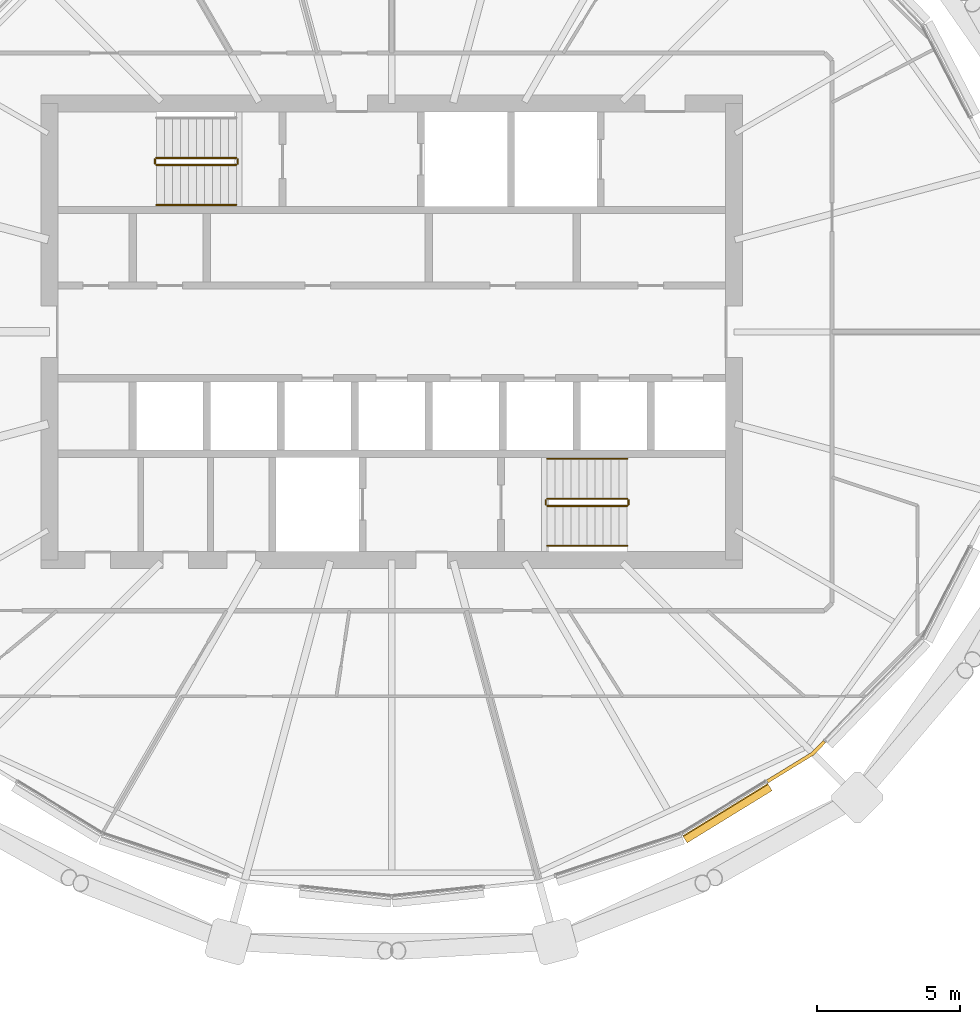
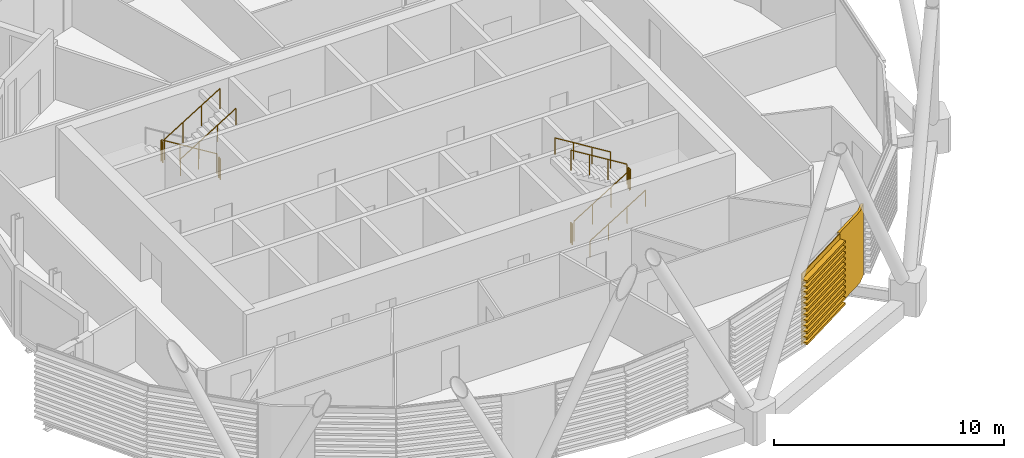
# One storey, part 32 of 37: 11 railings, 2 coverings.
"""IFC4 building model written with IfcOpenShell, lengths in metres."""

from ifc_helpers import new_model, si_unit, direction, frame, origin, origin_2d, place, context, subcontext, project, spatial, polyline, circle, outline, extrude, material, layer, layer_set, material_profile, profile_set, type_object, element, save


model = new_model("IFC4")

# Units and contexts
model_context = context("Model", 3, precision=1e-05, world=origin(), true_north=direction((0.0, 1.0)))
body_context = subcontext(model_context, "Body", "Model", "MODEL_VIEW")
ifc_project = project(units=[si_unit("LENGTHUNIT", "METRE"), si_unit("AREAUNIT", "SQUARE_METRE"), si_unit("VOLUMEUNIT", "CUBIC_METRE"), si_unit("PLANEANGLEUNIT", "RADIAN"), si_unit("MASSUNIT", "GRAM", prefix="KILO")], contexts=[model_context])

# Site, building, storey
site_placement = place(None, origin())
site = spatial("IfcSite", under=ifc_project, at=site_placement, CompositionType="ELEMENT")
building_placement = place(site_placement, origin())
building = spatial("IfcBuilding", under=site, at=building_placement, Name="Rimbun Link Towers", CompositionType="ELEMENT")
storey_placement = place(building_placement, frame((0.0, 0.0, 170.300048828125)))
storey = spatial("IfcBuildingStorey", under=building, at=storey_placement, Name="L41", CompositionType="ELEMENT", Elevation=170.300048828125)

# Covering
ifc_material_1 = material(Name="Terracotta", Category="masonry")
ifc_layer = layer(ifc_material_1, 0.1201171875)
ifc_layer_set = layer_set([ifc_layer], Name="LINK PIER terracotta cladding 120")
covering_type_1 = type_object("IfcCoveringType", Name="LINK PIER terracotta cladding 120", PredefinedType="CLADDING", material=ifc_layer_set)
covering_1_placement = place(storey_placement, origin())
element("IfcCovering", 1, at=covering_1_placement, inside=storey, type_object=covering_type_1, Name="LINK PIER cladding", PredefinedType="CLADDING", context=body_context, shape_type="SweptSolid", body=[
    extrude(outline(polyline([(-16.624267578125, -14.31982421875), (-17.018798828125, -14.731201171875), (-18.6123046875, -15.709716796875), (-18.549560546875, -15.81201171875), (-16.94287109375, -14.825439453125), (-16.53759765625, -14.40283203125), (-16.624267578125, -14.31982421875)])), origin(), (0.0, 0.0, 1.0), 3.800048828125),
])

# Railings
ifc_material_2 = material(Name="Stainless steel grade 316", Category="steel")
railing_type_1 = type_object("IfcRailingType", Name="Stair guard", PredefinedType="GUARDRAIL", material=ifc_material_2)
railing_1_placement = place(storey_placement, frame((-37.199951171875, 6.10009765625, 0.172607421875)))
element("IfcRailing", 2, at=railing_1_placement, inside=storey, type_object=railing_type_1, Name="L41 ST1 stair guard 1", PredefinedType="GUARDRAIL", context=body_context, shape_type="SweptSolid", body=[
    extrude(circle(Radius=0.02392578125, at=origin_2d()), frame((0.0, 0.0, 1.076171875), z_axis=(-0.851089632645, 0.0, 0.525020415988), x_axis=(0.0, -1.0, 0.0)), (0.0, 0.0, 1.0), 3.2900390625),
    extrude(circle(Radius=0.02099609375, at=origin_2d()), origin(), (0.0, 0.0, 1.0), 1.052001953125),
    extrude(circle(Radius=0.02099609375, at=origin_2d()), frame((-0.933349609375, 0.0, 0.57568359375)), (0.0, 0.0, 1.0), 1.052001953125),
    extrude(circle(Radius=0.02099609375, at=origin_2d()), frame((-1.86669921875, 0.0, 1.151611328125)), (0.0, 0.0, 1.0), 1.052001953125),
    extrude(circle(Radius=0.02099609375, at=origin_2d()), frame((-2.800048828125, 0.0, 1.727294921875)), (0.0, 0.0, 1.0), 1.052001953125),
])
railing_2_placement = place(storey_placement, frame((-40.050048828125, 6.050048828125, 1.89990234375)))
element("IfcRailing", 3, at=railing_2_placement, inside=storey, type_object=railing_type_1, Name="L41 ST1 stair guard 2", PredefinedType="GUARDRAIL", context=body_context, shape_type="SweptSolid", body=[
    extrude(circle(Radius=0.02392578125, at=origin_2d()), frame((0.0, 0.0, 1.076171875), z_axis=(0.0, -1.0, 0.0), x_axis=(1.0, 0.0, 0.0)), (0.0, 0.0, 1.0), 0.150146484375),
    extrude(circle(Radius=0.02099609375, at=origin_2d()), origin(), (0.0, 0.0, 1.0), 1.052001953125),
    extrude(circle(Radius=0.02099609375, at=origin_2d()), frame((0.0, -0.150146484375, 0.0)), (0.0, 0.0, 1.0), 1.052001953125),
])
railing_3_placement = place(storey_placement, frame((-40.0, 5.85009765625, 2.07275390625)))
element("IfcRailing", 4, at=railing_3_placement, inside=storey, type_object=railing_type_1, Name="L41 ST1 stair guard 3", PredefinedType="GUARDRAIL", context=body_context, shape_type="SweptSolid", body=[
    extrude(circle(Radius=0.02392578125, at=origin_2d()), frame((0.0, 0.0, 1.076171875), z_axis=(0.851089632645, 0.0, 0.525020415988), x_axis=(0.0, 1.0, 0.0)), (0.0, 0.0, 1.0), 3.2900390625),
    extrude(circle(Radius=0.02099609375, at=origin_2d()), origin(), (0.0, 0.0, 1.0), 1.052001953125),
    extrude(circle(Radius=0.02099609375, at=origin_2d()), frame((0.933349609375, 0.0, 0.57568359375)), (0.0, 0.0, 1.0), 1.052001953125),
    extrude(circle(Radius=0.02099609375, at=origin_2d()), frame((1.86669921875, 0.0, 1.151611328125)), (0.0, 0.0, 1.0), 1.052001953125),
    extrude(circle(Radius=0.02099609375, at=origin_2d()), frame((2.800048828125, 0.0, 1.727294921875)), (0.0, 0.0, 1.0), 1.052001953125),
])
railing_4_placement = place(storey_placement, frame((-37.14990234375, 6.050048828125, 0.0)))
element("IfcRailing", 5, at=railing_4_placement, inside=storey, type_object=railing_type_1, Name="L41 ST1 stair guard 4", PredefinedType="GUARDRAIL", context=body_context, shape_type="SweptSolid", body=[
    extrude(circle(Radius=0.02392578125, at=origin_2d()), frame((0.0, 0.0, 1.076171875), z_axis=(0.0, -1.0, 0.0), x_axis=(1.0, 0.0, 0.0)), (0.0, 0.0, 1.0), 0.150146484375),
    extrude(circle(Radius=0.02099609375, at=origin_2d()), origin(), (0.0, 0.0, 1.0), 1.052001953125),
    extrude(circle(Radius=0.02099609375, at=origin_2d()), frame((0.0, -0.150146484375, 0.0)), (0.0, 0.0, 1.0), 1.052001953125),
])
railing_5_placement = place(storey_placement, frame((-26.300048828125, -6.10009765625, 0.172607421875)))
element("IfcRailing", 6, at=railing_5_placement, inside=storey, type_object=railing_type_1, Name="L41 ST2 stair guard 1", PredefinedType="GUARDRAIL", context=body_context, shape_type="SweptSolid", body=[
    extrude(circle(Radius=0.02392578125, at=origin_2d()), frame((0.0, 0.0, 1.076171875), z_axis=(0.851089632645, 0.0, 0.525020415988), x_axis=(0.0, 1.0, 0.0)), (0.0, 0.0, 1.0), 3.2900390625),
    extrude(circle(Radius=0.02099609375, at=origin_2d()), origin(), (0.0, 0.0, 1.0), 1.052001953125),
    extrude(circle(Radius=0.02099609375, at=origin_2d()), frame((0.933349609375, 0.0, 0.57568359375)), (0.0, 0.0, 1.0), 1.052001953125),
    extrude(circle(Radius=0.02099609375, at=origin_2d()), frame((1.86669921875, 0.0, 1.151611328125)), (0.0, 0.0, 1.0), 1.052001953125),
    extrude(circle(Radius=0.02099609375, at=origin_2d()), frame((2.800048828125, 0.0, 1.727294921875)), (0.0, 0.0, 1.0), 1.052001953125),
])
railing_6_placement = place(storey_placement, frame((-23.449951171875, -6.050048828125, 1.89990234375)))
element("IfcRailing", 7, at=railing_6_placement, inside=storey, type_object=railing_type_1, Name="L41 ST2 stair guard 2", PredefinedType="GUARDRAIL", context=body_context, shape_type="SweptSolid", body=[
    extrude(circle(Radius=0.02392578125, at=origin_2d()), frame((0.0, 0.0, 1.076171875), z_axis=(0.0, 1.0, 0.0), x_axis=(-1.0, 0.0, 0.0)), (0.0, 0.0, 1.0), 0.150146484375),
    extrude(circle(Radius=0.02099609375, at=origin_2d()), origin(), (0.0, 0.0, 1.0), 1.052001953125),
    extrude(circle(Radius=0.02099609375, at=origin_2d()), frame((0.0, 0.150146484375, 0.0)), (0.0, 0.0, 1.0), 1.052001953125),
])
railing_7_placement = place(storey_placement, frame((-23.5, -5.85009765625, 2.07275390625)))
element("IfcRailing", 8, at=railing_7_placement, inside=storey, type_object=railing_type_1, Name="L41 ST2 stair guard 3", PredefinedType="GUARDRAIL", context=body_context, shape_type="SweptSolid", body=[
    extrude(circle(Radius=0.02392578125, at=origin_2d()), frame((0.0, 0.0, 1.076171875), z_axis=(-0.851089632645, 0.0, 0.525020415988), x_axis=(0.0, -1.0, 0.0)), (0.0, 0.0, 1.0), 3.2900390625),
    extrude(circle(Radius=0.02099609375, at=origin_2d()), origin(), (0.0, 0.0, 1.0), 1.052001953125),
    extrude(circle(Radius=0.02099609375, at=origin_2d()), frame((-0.933349609375, 0.0, 0.57568359375)), (0.0, 0.0, 1.0), 1.052001953125),
    extrude(circle(Radius=0.02099609375, at=origin_2d()), frame((-1.86669921875, 0.0, 1.151611328125)), (0.0, 0.0, 1.0), 1.052001953125),
    extrude(circle(Radius=0.02099609375, at=origin_2d()), frame((-2.800048828125, 0.0, 1.727294921875)), (0.0, 0.0, 1.0), 1.052001953125),
])
railing_8_placement = place(storey_placement, frame((-26.35009765625, -6.050048828125, 0.0)))
element("IfcRailing", 9, at=railing_8_placement, inside=storey, type_object=railing_type_1, Name="L41 ST2 stair guard 4", PredefinedType="GUARDRAIL", context=body_context, shape_type="SweptSolid", body=[
    extrude(circle(Radius=0.02392578125, at=origin_2d()), frame((0.0, 0.0, 1.076171875), z_axis=(0.0, 1.0, 0.0), x_axis=(-1.0, 0.0, 0.0)), (0.0, 0.0, 1.0), 0.150146484375),
    extrude(circle(Radius=0.02099609375, at=origin_2d()), origin(), (0.0, 0.0, 1.0), 1.052001953125),
    extrude(circle(Radius=0.02099609375, at=origin_2d()), frame((0.0, 0.150146484375, 0.0)), (0.0, 0.0, 1.0), 1.052001953125),
])
ifc_material_3 = material(Name="Stainless steel grade 316", Category="steel")
railing_type_2 = type_object("IfcRailingType", Name="Stair handrail", PredefinedType="HANDRAIL", material=ifc_material_3)
for number, where, name in (
    (10, (-40.0, 4.449951171875, 2.07275390625), "L41 ST1 stair handrail 2"),
    (11, (-26.300048828125, -7.5, 0.172607421875), "L41 ST2 stair handrail 1"),
):
    element("IfcRailing", number, at=place(storey_placement, frame(where)), inside=storey, type_object=railing_type_2, Name=name, PredefinedType="HANDRAIL", context=body_context, shape_type="SweptSolid", body=[
        extrude(circle(Radius=0.02392578125, at=origin_2d()), frame((0.0, 0.0, 0.8759765625), z_axis=(0.851089632645, 0.0, 0.525020415988), x_axis=(0.0, 1.0, 0.0)), (0.0, 0.0, 1.0), 3.2900390625),
        extrude(circle(Radius=0.02099609375, at=origin_2d()), origin(), (0.0, 0.0, 1.0), 0.851806640625),
        extrude(circle(Radius=0.02099609375, at=origin_2d()), frame((0.933349609375, 0.0, 0.57568359375)), (0.0, 0.0, 1.0), 0.851806640625),
        extrude(circle(Radius=0.02099609375, at=origin_2d()), frame((1.86669921875, 0.0, 1.151611328125)), (0.0, 0.0, 1.0), 0.851806640625),
        extrude(circle(Radius=0.02099609375, at=origin_2d()), frame((2.800048828125, 0.0, 1.727294921875)), (0.0, 0.0, 1.0), 0.851806640625),
    ])
railing_9_placement = place(storey_placement, frame((-23.5, -4.449951171875, 2.07275390625)))
element("IfcRailing", 12, at=railing_9_placement, inside=storey, type_object=railing_type_2, Name="L41 ST2 stair handrail 2", PredefinedType="HANDRAIL", context=body_context, shape_type="SweptSolid", body=[
    extrude(circle(Radius=0.02392578125, at=origin_2d()), frame((0.0, 0.0, 0.8759765625), z_axis=(-0.851089632645, 0.0, 0.525020415988), x_axis=(0.0, -1.0, 0.0)), (0.0, 0.0, 1.0), 3.2900390625),
    extrude(circle(Radius=0.02099609375, at=origin_2d()), origin(), (0.0, 0.0, 1.0), 0.851806640625),
    extrude(circle(Radius=0.02099609375, at=origin_2d()), frame((-0.933349609375, 0.0, 0.57568359375)), (0.0, 0.0, 1.0), 0.851806640625),
    extrude(circle(Radius=0.02099609375, at=origin_2d()), frame((-1.86669921875, 0.0, 1.151611328125)), (0.0, 0.0, 1.0), 0.851806640625),
    extrude(circle(Radius=0.02099609375, at=origin_2d()), frame((-2.800048828125, 0.0, 1.727294921875)), (0.0, 0.0, 1.0), 0.851806640625),
])

# Covering
ifc_material_4 = material(Name="Terracotta", Category="masonry")
ifc_material_profile = material_profile(ifc_material_4, outline(polyline([(0.123046875, 0.0), (0.1630859375, 0.0), (0.1630859375, 0.10009765625), (0.423095703125, 0.10009765625), (0.423095703125, 0.219970703125), (0.1630859375, 0.219970703125), (0.1630859375, 0.39990234375), (0.423095703125, 0.39990234375), (0.423095703125, 0.52001953125), (0.1630859375, 0.52001953125), (0.1630859375, 0.699951171875), (0.423095703125, 0.699951171875), (0.423095703125, 0.820068359375), (0.1630859375, 0.820068359375), (0.1630859375, 1.0), (0.423095703125, 1.0), (0.423095703125, 1.1201171875), (0.1630859375, 1.1201171875), (0.1630859375, 1.300048828125), (0.423095703125, 1.300048828125), (0.423095703125, 1.419921875), (0.1630859375, 1.419921875), (0.1630859375, 1.60009765625), (0.423095703125, 1.60009765625), (0.423095703125, 1.719970703125), (0.1630859375, 1.719970703125), (0.1630859375, 1.89990234375), (0.423095703125, 1.89990234375), (0.423095703125, 2.02001953125), (0.1630859375, 2.02001953125), (0.1630859375, 2.199951171875), (0.423095703125, 2.199951171875), (0.423095703125, 2.320068359375), (0.1630859375, 2.320068359375), (0.1630859375, 2.5), (0.423095703125, 2.5), (0.423095703125, 2.6201171875), (0.1630859375, 2.6201171875), (0.1630859375, 2.800048828125), (0.423095703125, 2.800048828125), (0.423095703125, 2.919921875), (0.1630859375, 2.919921875), (0.1630859375, 3.10009765625), (0.423095703125, 3.10009765625), (0.423095703125, 3.219970703125), (0.1630859375, 3.219970703125), (0.1630859375, 3.39990234375), (0.423095703125, 3.39990234375), (0.423095703125, 3.52001953125), (0.1630859375, 3.52001953125), (0.1630859375, 3.800048828125), (0.123046875, 3.800048828125), (0.123046875, 0.0)])), Name="BAGUETTE 120X300")
ifc_profile_set = profile_set([ifc_material_profile], Name="Terracotta")
covering_type_2 = type_object("IfcCoveringType", Name="TERRACOTTA BAGUETTE 120X300 H3800", PredefinedType="CLADDING", material=ifc_profile_set)
covering_2_placement = place(storey_placement, frame((-18.637939453125, -15.725341796875, 0.0), z_axis=(-0.852164119705, -0.523274605811, 0.0), x_axis=(0.523274605811, -0.852164119705, 0.0)))
element("IfcCovering", 13, at=covering_2_placement, inside=storey, type_object=covering_type_2, Name="TERRACOTTA BAGUETTE", PredefinedType="CLADDING", context=body_context, shape_type="SweptSolid", body=[
    extrude(outline(polyline([(0.123046875, 0.0), (0.1630859375, 0.0), (0.1630859375, 0.10009765625), (0.423095703125, 0.10009765625), (0.423095703125, 0.219970703125), (0.1630859375, 0.219970703125), (0.1630859375, 0.39990234375), (0.423095703125, 0.39990234375), (0.423095703125, 0.52001953125), (0.1630859375, 0.52001953125), (0.1630859375, 0.699951171875), (0.423095703125, 0.699951171875), (0.423095703125, 0.820068359375), (0.1630859375, 0.820068359375), (0.1630859375, 1.0), (0.423095703125, 1.0), (0.423095703125, 1.1201171875), (0.1630859375, 1.1201171875), (0.1630859375, 1.300048828125), (0.423095703125, 1.300048828125), (0.423095703125, 1.419921875), (0.1630859375, 1.419921875), (0.1630859375, 1.60009765625), (0.423095703125, 1.60009765625), (0.423095703125, 1.719970703125), (0.1630859375, 1.719970703125), (0.1630859375, 1.89990234375), (0.423095703125, 1.89990234375), (0.423095703125, 2.02001953125), (0.1630859375, 2.02001953125), (0.1630859375, 2.199951171875), (0.423095703125, 2.199951171875), (0.423095703125, 2.320068359375), (0.1630859375, 2.320068359375), (0.1630859375, 2.5), (0.423095703125, 2.5), (0.423095703125, 2.6201171875), (0.1630859375, 2.6201171875), (0.1630859375, 2.800048828125), (0.423095703125, 2.800048828125), (0.423095703125, 2.919921875), (0.1630859375, 2.919921875), (0.1630859375, 3.10009765625), (0.423095703125, 3.10009765625), (0.423095703125, 3.219970703125), (0.1630859375, 3.219970703125), (0.1630859375, 3.39990234375), (0.423095703125, 3.39990234375), (0.423095703125, 3.52001953125), (0.1630859375, 3.52001953125), (0.1630859375, 3.800048828125), (0.123046875, 3.800048828125), (0.123046875, 0.0)])), origin(), (0.0, 0.0, 1.0), 3.494140625),
])

save(model, "model.ifc")
